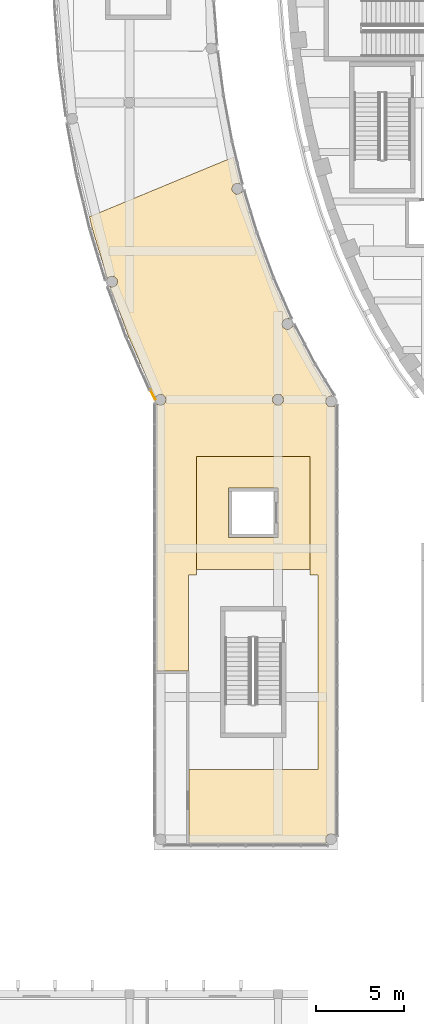
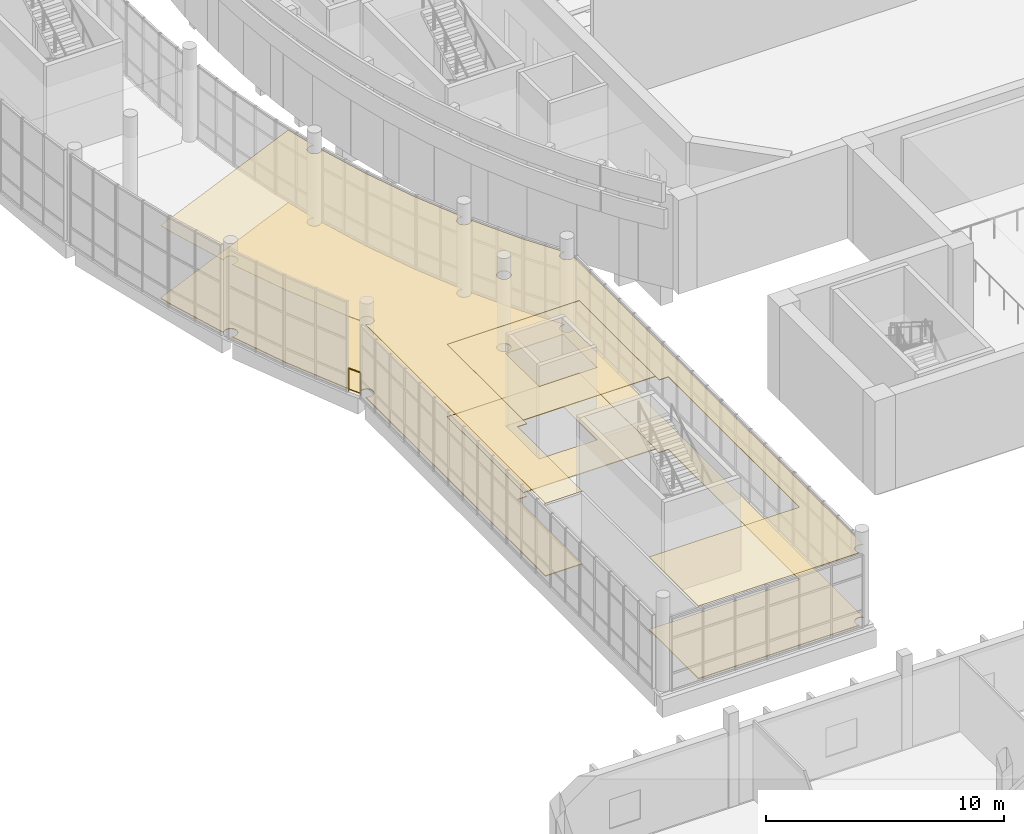
# One storey, part 90 of 119: 4 coverings, 1 railing.
"""IFC4 building model written with IfcOpenShell, lengths in metres."""

import ifcopenshell
import ifcopenshell.guid

model = None  # the IFC model being written
_history = None  # IfcOwnerHistory: only IFC2X3 demands one
_inside = {}  # id of a spatial element -> (the spatial element, [elements in it])
_under = {}  # id of a project, library or spatial element -> (it, [spatial elements below it])
_declared = {}  # id of a project -> (the project, [libraries it declares])
_typed = {}  # id of a type object -> (the type object, [elements of that type])
_made_of = {}  # id of a material, layer set ... -> (it, [elements and type objects made of it])


def new_model(schema):
    """Start an empty IFC model of exactly this schema.

    Asked for "IFC4X3", IfcOpenShell would pick the latest addendum, in which some entities
    have other attributes; the version numbers below select the first issue.
    IFC2X3 requires an IfcOwnerHistory on every rooted entity: one is made here for all.
    """
    global model, _history
    if schema == "IFC4X3":
        model = ifcopenshell.file(schema_version=(4, 3, 0, 0))
    else:
        model = ifcopenshell.file(schema=schema)
    _inside.clear()
    _under.clear()
    _declared.clear()
    _typed.clear()
    _made_of.clear()
    _history = None
    if model.schema == "IFC2X3":
        org = make("IfcOrganization", Name="unknown")
        user = make(
            "IfcPersonAndOrganization",
            ThePerson=make("IfcPerson", FamilyName="unknown"),
            TheOrganization=org,
        )
        app = make(
            "IfcApplication",
            ApplicationDeveloper=org,
            Version="unknown",
            ApplicationFullName="unknown",
            ApplicationIdentifier="unknown",
        )
        _history = make(
            "IfcOwnerHistory",
            OwningUser=user,
            OwningApplication=app,
            ChangeAction="ADDED",
            CreationDate=0,
        )
    return model


def make(cls, **values):
    """One entity of the class cls with the attributes given. An attribute that is None is left unset."""
    return model.create_entity(
        cls, **{name: value for name, value in values.items() if value is not None}
    )


def rooted(cls, **values):
    """An entity with a GlobalId (a new one), such as an element, a storey or a relation."""
    return make(cls, GlobalId=ifcopenshell.guid.new(), OwnerHistory=_history, **values)


def si_unit(unit_type, name, prefix=None):
    """IfcSIUnit, for example si_unit("LENGTHUNIT", "METRE", prefix="MILLI")."""
    return make("IfcSIUnit", UnitType=unit_type, Prefix=prefix, Name=name)


def assignment(units):
    """IfcUnitAssignment: the units of a project."""
    return None if units is None else make("IfcUnitAssignment", Units=units)


def point(xyz):
    """IfcCartesianPoint."""
    return None if xyz is None else make("IfcCartesianPoint", Coordinates=xyz)


def direction(xyz):
    """IfcDirection."""
    return None if xyz is None else make("IfcDirection", DirectionRatios=xyz)


def frame(location, z_axis=None, x_axis=None):
    """IfcAxis2Placement3D, a coordinate frame: its origin and axes. An axis left out is left unset."""
    return make(
        "IfcAxis2Placement3D",
        Location=point(location),
        Axis=direction(z_axis),
        RefDirection=direction(x_axis),
    )


def frame_2d(location, x_axis=None):
    """IfcAxis2Placement2D, a coordinate frame in the plane: its origin and x axis."""
    return make(
        "IfcAxis2Placement2D", Location=point(location), RefDirection=direction(x_axis)
    )


def origin():
    """The frame at (0, 0, 0) with its axes left unset."""
    return frame((0.0, 0.0, 0.0))


def origin_2d():
    """The frame at (0, 0) in the plane with its x axis left unset."""
    return frame_2d((0.0, 0.0))


def place(relative_to, where):
    """IfcLocalPlacement: puts the frame where relative to a parent placement (None: the world)."""
    return make(
        "IfcLocalPlacement", PlacementRelTo=relative_to, RelativePlacement=where
    )


def context(
    kind, dimensions, precision=None, world=None, true_north=None, identifier=None
):
    """IfcGeometricRepresentationContext, for example the 3D "Model" context."""
    return make(
        "IfcGeometricRepresentationContext",
        ContextIdentifier=identifier,
        ContextType=kind,
        CoordinateSpaceDimension=dimensions,
        Precision=precision,
        WorldCoordinateSystem=world,
        TrueNorth=true_north,
    )


def subcontext(parent, identifier, kind, view, scale=None):
    """IfcGeometricRepresentationSubContext, for example "Body" below "Model"."""
    return make(
        "IfcGeometricRepresentationSubContext",
        ContextIdentifier=identifier,
        ContextType=kind,
        ParentContext=parent,
        TargetScale=scale,
        TargetView=view,
    )


def project(units=None, contexts=None):
    """IfcProject with its units and contexts."""
    return rooted(
        "IfcProject",
        Name="project",
        RepresentationContexts=contexts,
        UnitsInContext=assignment(units),
    )


def spatial(cls, under=None, at=None, **own):
    """A site, building, storey or space (cls), placed at a placement, below another one or the project."""
    s = rooted(cls, ObjectPlacement=at, **own)
    if under is not None:
        _under.setdefault(under.id(), (under, []))[1].append(s)
    return s


def polyline(points):
    """IfcPolyline through the points."""
    return make("IfcPolyline", Points=[point(p) for p in points])


def profile(cls, at=None, kind="AREA", **sizes):
    """A parametric profile (cls). Its sizes go by their IFC names, for example OverallWidth=200.0."""
    return make(cls, ProfileType=kind, Position=at, **sizes)


def circle(**sizes):
    """IfcCircleProfileDef."""
    return profile("IfcCircleProfileDef", **sizes)


def outline(outer, holes=None, kind="AREA"):
    """IfcArbitraryClosedProfileDef: a profile drawn as a closed curve; with holes, ...WithVoids."""
    if holes is None:
        return make("IfcArbitraryClosedProfileDef", ProfileType=kind, OuterCurve=outer)
    return make(
        "IfcArbitraryProfileDefWithVoids",
        ProfileType=kind,
        OuterCurve=outer,
        InnerCurves=holes,
    )


def extrude(swept, where, along, depth):
    """IfcExtrudedAreaSolid: the profile swept, set in the frame where, extruded along a direction by depth."""
    return make(
        "IfcExtrudedAreaSolid",
        SweptArea=swept,
        Position=where,
        ExtrudedDirection=direction(along),
        Depth=depth,
    )


def shape(context_of_items, identifier, shape_type, items):
    """IfcShapeRepresentation: the items that make up one representation, for example the "Body"."""
    return make(
        "IfcShapeRepresentation",
        ContextOfItems=context_of_items,
        RepresentationIdentifier=identifier,
        RepresentationType=shape_type,
        Items=items,
    )


def material(Name=None, Category=None):
    """IfcMaterial."""
    return make("IfcMaterial", Name=Name, Category=Category)


def layer(
    of_material, thickness, ventilated=None, Name=None, Category=None, Priority=None
):
    """IfcMaterialLayer: one layer of a wall or slab, of a material (None: an air gap)."""
    return make(
        "IfcMaterialLayer",
        Material=of_material,
        LayerThickness=thickness,
        IsVentilated=ventilated,
        Name=Name,
        Category=Category,
        Priority=Priority,
    )


def layer_set(layers, Name=None):
    """IfcMaterialLayerSet."""
    return make("IfcMaterialLayerSet", MaterialLayers=layers, LayerSetName=Name)


def made_of(thing, what):
    """Note that an element or type object is made of a material, layer set ...; save() writes the relation."""
    if what is not None:
        _made_of.setdefault(what.id(), (what, []))[1].append(thing)
    return thing


def type_object(cls, material=None, **own):
    """A type object (cls), such as IfcWallType, which elements share."""
    return made_of(rooted(cls, **own), material)


def element(
    cls,
    number,
    at=None,
    inside=None,
    cuts=None,
    type_object=None,
    material=None,
    context=None,
    identifier="Body",
    shape_type=None,
    held_by="IfcProductDefinitionShape",
    body=None,
    shapes=None,
    **own,
):
    """One element of the class cls, such as IfcWall. Its Tag is "e" and its number.

    at: its placement. inside: the storey or other place that contains it. cuts: it is an
    opening in that element (IfcRelVoidsElement). A single representation is given by context,
    identifier, shape_type and body (its items); several are given by shapes. held_by: the class
    of the entity that holds the representations. save() writes the other relations.
    """
    e = rooted(cls, Tag="e%d" % number, ObjectPlacement=at, **own)
    if body is not None:
        shapes = [shape(context, identifier, shape_type, body)]
    if shapes is not None:
        e.Representation = make(held_by, Representations=shapes)
    if inside is not None:
        _inside.setdefault(inside.id(), (inside, []))[1].append(e)
    if cuts is not None:
        rooted(
            "IfcRelVoidsElement", RelatingBuildingElement=cuts, RelatedOpeningElement=e
        )
    if type_object is not None:
        _typed.setdefault(type_object.id(), (type_object, []))[1].append(e)
    return made_of(e, material)


def aggregate(whole, parts):
    """IfcRelAggregates: a whole, such as a stair, and the parts it consists of."""
    return rooted("IfcRelAggregates", RelatingObject=whole, RelatedObjects=parts)


def save(model, path):
    """Write the relations noted so far, then the file.

    IfcRelAggregates (storeys below a building ...), IfcRelContainedInSpatialStructure (elements
    in a storey), IfcRelDefinesByType, IfcRelAssociatesMaterial and IfcRelDeclares: one each for
    every whole, place, type object, material and project.
    """
    for whole, parts in _under.values():
        aggregate(whole, parts)
    for where, things in _inside.values():
        rooted(
            "IfcRelContainedInSpatialStructure",
            RelatedElements=things,
            RelatingStructure=where,
        )
    for kind, things in _typed.values():
        rooted("IfcRelDefinesByType", RelatedObjects=things, RelatingType=kind)
    for what, things in _made_of.values():
        rooted("IfcRelAssociatesMaterial", RelatedObjects=things, RelatingMaterial=what)
    for by, libraries in _declared.values():
        rooted("IfcRelDeclares", RelatingContext=by, RelatedDefinitions=libraries)
    model.write(path)


model = new_model("IFC4")

# Units and contexts
model_context = context("Model", 3, precision=1e-05, world=origin(), true_north=direction((0.0, 1.0)))
body_context = subcontext(model_context, "Body", "Model", "MODEL_VIEW")
ifc_project = project(units=[si_unit("LENGTHUNIT", "METRE"), si_unit("AREAUNIT", "SQUARE_METRE"), si_unit("VOLUMEUNIT", "CUBIC_METRE"), si_unit("PLANEANGLEUNIT", "RADIAN"), si_unit("MASSUNIT", "GRAM", prefix="KILO")], contexts=[model_context])

# Site, building, storey
site_placement = place(None, origin())
site = spatial("IfcSite", under=ifc_project, at=site_placement, CompositionType="ELEMENT")
building_placement = place(site_placement, origin())
building = spatial("IfcBuilding", under=site, at=building_placement, Name="Larchfold Concert Hall", CompositionType="ELEMENT")
storey_placement = place(building_placement, frame((0.0, 0.0, 4.800048828125)))
storey = spatial("IfcBuildingStorey", under=building, at=storey_placement, Name="L01", CompositionType="ELEMENT", Elevation=4.800048828125)

# Coverings
ifc_material_1 = material(Name="Plasterboard ceiling lining")
ifc_layer_1 = layer(ifc_material_1, 0.030029296875)
ifc_layer_set_1 = layer_set([ifc_layer_1], Name="Plasterboard ceiling lining")
covering_type_1 = type_object("IfcCoveringType", Name="Ceiling suspended plasterboard 30", PredefinedType="CEILING", material=ifc_layer_set_1)
covering_1_placement = place(storey_placement, frame((0.0, 0.0, 3.719970703125)))
element("IfcCovering", 1, at=covering_1_placement, inside=storey, type_object=covering_type_1, Name="Ceiling Foyer 05", PredefinedType="CEILING", context=body_context, shape_type="SweptSolid", body=[
    extrude(outline(polyline([(12.801025390625, 49.801025390625), (19.198974609375, 49.801025390625), (19.198974609375, 56.198974609375), (12.801025390625, 56.198974609375), (12.801025390625, 49.801025390625)]), holes=[polyline([(14.60009765625, 54.39990234375), (17.39990234375, 54.39990234375), (17.39990234375, 51.60009765625), (14.60009765625, 51.60009765625), (14.60009765625, 54.39990234375)])]), origin(), (0.0, 0.0, 1.0), 0.030029296875),
])
covering_2_placement = place(storey_placement, frame((0.0, 0.0, 3.719970703125)))
element("IfcCovering", 2, at=covering_2_placement, inside=storey, type_object=covering_type_1, Name="Ceiling Winter Garden Foyer South West", PredefinedType="CEILING", context=body_context, shape_type="SweptSolid", body=[
    extrude(outline(polyline([(12.300048828125, 34.349853515625), (20.17626953125, 34.349853515625), (20.13916015625, 34.400146484375), (20.121826171875, 34.435302734375), (20.109130859375, 34.472412109375), (20.098876953125, 34.550048828125), (20.109130859375, 34.627685546875), (20.121826171875, 34.664794921875), (20.160888671875, 34.732666015625), (20.186767578125, 34.76220703125), (20.2490234375, 34.809814453125), (20.2841796875, 34.8271484375), (20.35986328125, 34.847412109375), (20.39892578125, 34.85009765625), (20.43798828125, 34.847412109375), (20.513671875, 34.8271484375), (20.548828125, 34.809814453125), (20.598876953125, 34.77294921875), (20.598876953125, 59.078125), (20.548828125, 59.041259765625), (20.4765625, 59.01123046875), (20.43798828125, 59.003662109375), (20.35986328125, 59.003662109375), (20.2841796875, 59.02392578125), (20.21630859375, 59.06298828125), (20.186767578125, 59.0888671875), (20.13916015625, 59.151123046875), (20.109130859375, 59.223388671875), (20.098876953125, 59.301025390625), (20.109130859375, 59.378662109375), (20.121826171875, 59.415771484375), (20.160888671875, 59.483642578125), (20.21630859375, 59.5390625), (20.2841796875, 59.578125), (20.35986328125, 59.598388671875), (20.452392578125, 59.595703125), (19.387939453125, 61.3251953125), (18.213134765625, 63.5732421875), (18.171142578125, 63.497314453125), (18.11572265625, 63.44189453125), (18.0478515625, 63.40283203125), (17.97216796875, 63.382568359375), (17.93310546875, 63.3798828125), (17.85546875, 63.39013671875), (17.783203125, 63.420166015625), (17.720947265625, 63.4677734375), (17.695068359375, 63.497314453125), (17.656005859375, 63.565185546875), (17.643310546875, 63.602294921875), (17.633056640625, 63.679931640625), (17.643310546875, 63.757568359375), (17.67333984375, 63.829833984375), (17.720947265625, 63.89208984375), (17.783203125, 63.939697265625), (17.85546875, 63.9697265625), (17.93310546875, 63.97998046875), (18.025390625, 63.96484375), (17.01708984375, 66.24755859375), (16.077880859375, 68.7890625), (15.354736328125, 71.170654296875), (15.311279296875, 71.11474609375), (15.28173828125, 71.0888671875), (15.2138671875, 71.0498046875), (15.13818359375, 71.029541015625), (15.06005859375, 71.029541015625), (14.984375, 71.0498046875), (14.91650390625, 71.0888671875), (14.861083984375, 71.144287109375), (14.83935546875, 71.177001953125), (14.809326171875, 71.249267578125), (14.799072265625, 71.326904296875), (14.809326171875, 71.404541015625), (14.83935546875, 71.476806640625), (14.861083984375, 71.509521484375), (14.91650390625, 71.56494140625), (14.984375, 71.60400390625), (15.06005859375, 71.624267578125), (15.13818359375, 71.624267578125), (15.1767578125, 71.61669921875), (15.240478515625, 71.5908203125), (14.870849609375, 73.1142578125), (6.736083984375, 69.74462890625), (6.89794921875, 69.077880859375), (7.76171875, 66.234130859375), (7.805908203125, 66.291259765625), (7.83544921875, 66.317138671875), (7.9033203125, 66.356201171875), (7.97900390625, 66.37646484375), (8.05712890625, 66.37646484375), (8.1328125, 66.356201171875), (8.20068359375, 66.317138671875), (8.256103515625, 66.26171875), (8.27783203125, 66.22900390625), (8.307861328125, 66.15673828125), (8.318115234375, 66.0791015625), (8.307861328125, 66.00146484375), (8.27783203125, 65.92919921875), (8.230224609375, 65.866943359375), (8.16796875, 65.8193359375), (8.095703125, 65.789306640625), (8.01806640625, 65.779052734375), (7.97900390625, 65.78173828125), (7.907470703125, 65.800537109375), (8.949951171875, 62.97900390625), (10.275146484375, 59.9794921875), (10.498779296875, 59.55078125), (10.5458984375, 59.612060546875), (10.575439453125, 59.637939453125), (10.643310546875, 59.677001953125), (10.718994140625, 59.697265625), (10.797119140625, 59.697265625), (10.835693359375, 59.689697265625), (10.907958984375, 59.65966796875), (10.97021484375, 59.612060546875), (11.017822265625, 59.5498046875), (11.03515625, 59.5146484375), (11.055419921875, 59.43896484375), (11.055419921875, 59.36083984375), (11.03515625, 59.28515625), (11.017822265625, 59.25), (10.97021484375, 59.187744140625), (10.907958984375, 59.14013671875), (10.872802734375, 59.122802734375), (10.797119140625, 59.1025390625), (10.718994140625, 59.1025390625), (10.643310546875, 59.122802734375), (10.608154296875, 59.14013671875), (10.558349609375, 59.1767578125), (10.558349609375, 44.0625), (12.349853515625, 44.0625), (12.349853515625, 49.5), (12.800537109375, 49.5), (12.800048828125, 56.199951171875), (19.199951171875, 56.199951171875), (19.199462890625, 49.5), (19.650146484375, 49.5), (19.650146484375, 38.5), (12.362548828125, 38.5), (12.362548828125, 34.35009765625), (12.300048828125, 34.349853515625)]), holes=[polyline([(17.25, 59.14013671875), (17.187744140625, 59.187744140625), (17.161865234375, 59.21728515625), (17.122802734375, 59.28515625), (17.110107421875, 59.322265625), (17.099853515625, 59.39990234375), (17.1025390625, 59.43896484375), (17.122802734375, 59.5146484375), (17.14013671875, 59.5498046875), (17.187744140625, 59.612060546875), (17.21728515625, 59.637939453125), (17.28515625, 59.677001953125), (17.322265625, 59.689697265625), (17.36083984375, 59.697265625), (17.43896484375, 59.697265625), (17.5146484375, 59.677001953125), (17.5498046875, 59.65966796875), (17.58251953125, 59.637939453125), (17.637939453125, 59.58251953125), (17.677001953125, 59.5146484375), (17.689697265625, 59.4775390625), (17.699951171875, 59.39990234375), (17.697265625, 59.36083984375), (17.677001953125, 59.28515625), (17.65966796875, 59.25), (17.612060546875, 59.187744140625), (17.58251953125, 59.161865234375), (17.5146484375, 59.122802734375), (17.4775390625, 59.110107421875), (17.43896484375, 59.1025390625), (17.36083984375, 59.1025390625), (17.28515625, 59.122802734375), (17.25, 59.14013671875)])]), origin(), (0.0, 0.0, 1.0), 0.030029296875),
])

# Railing
ifc_material_2 = material(Name="Stainless steel balustrade", Category="steel")
railing_type = type_object("IfcRailingType", Name="Facade guard 1200", PredefinedType="GUARDRAIL", material=ifc_material_2)
railing_placement = place(storey_placement, frame((10.184326171875, 59.9375, 0.0)))
element("IfcRailing", 3, at=railing_placement, inside=storey, type_object=railing_type, Name="Guard GR0121", PredefinedType="GUARDRAIL", context=body_context, shape_type="SweptSolid", body=[
    extrude(circle(Radius=0.02392578125, at=origin_2d()), frame((0.0, 0.0, 1.17578125), z_axis=(0.46279604508, -0.886464788166, 0.0), x_axis=(0.886464788166, 0.46279604508, 0.0)), (0.0, 0.0, 1.0), 0.580322265625),
    extrude(circle(Radius=0.02099609375, at=origin_2d()), origin(), (0.0, 0.0, 1.0), 1.15185546875),
    extrude(circle(Radius=0.02099609375, at=origin_2d()), frame((0.2685546875, -0.514404296875, 0.0)), (0.0, 0.0, 1.0), 1.15185546875),
])

# Coverings
ifc_material_3 = material(Name="Polished terrazzo")
ifc_layer_2 = layer(ifc_material_3, 0.0400390625)
ifc_layer_set_2 = layer_set([ifc_layer_2], Name="Polished terrazzo")
covering_type_2 = type_object("IfcCoveringType", Name="Floor finish terrazzo 40", PredefinedType="FLOORING", material=ifc_layer_set_2)
covering_3_placement = place(storey_placement, origin())
element("IfcCovering", 4, at=covering_3_placement, inside=storey, type_object=covering_type_2, Name="Floor finish Foyer 05", PredefinedType="FLOORING", context=body_context, shape_type="SweptSolid", body=[
    extrude(outline(polyline([(12.801025390625, 49.801025390625), (19.198974609375, 49.801025390625), (19.198974609375, 56.198974609375), (12.801025390625, 56.198974609375), (12.801025390625, 49.801025390625)]), holes=[polyline([(14.60009765625, 54.39990234375), (17.39990234375, 54.39990234375), (17.39990234375, 51.60009765625), (14.60009765625, 51.60009765625), (14.60009765625, 54.39990234375)])]), origin(), (0.0, 0.0, 1.0), 0.0400390625),
])
covering_4_placement = place(storey_placement, origin())
element("IfcCovering", 5, at=covering_4_placement, inside=storey, type_object=covering_type_2, Name="Floor finish Winter Garden Foyer South West", PredefinedType="FLOORING", context=body_context, shape_type="SweptSolid", body=[
    extrude(outline(polyline([(12.300048828125, 34.349853515625), (20.17626953125, 34.349853515625), (20.13916015625, 34.400146484375), (20.121826171875, 34.435302734375), (20.109130859375, 34.472412109375), (20.098876953125, 34.550048828125), (20.109130859375, 34.627685546875), (20.121826171875, 34.664794921875), (20.160888671875, 34.732666015625), (20.186767578125, 34.76220703125), (20.2490234375, 34.809814453125), (20.2841796875, 34.8271484375), (20.35986328125, 34.847412109375), (20.39892578125, 34.85009765625), (20.43798828125, 34.847412109375), (20.513671875, 34.8271484375), (20.548828125, 34.809814453125), (20.598876953125, 34.77294921875), (20.598876953125, 59.078125), (20.548828125, 59.041259765625), (20.4765625, 59.01123046875), (20.43798828125, 59.003662109375), (20.35986328125, 59.003662109375), (20.2841796875, 59.02392578125), (20.21630859375, 59.06298828125), (20.186767578125, 59.0888671875), (20.13916015625, 59.151123046875), (20.109130859375, 59.223388671875), (20.098876953125, 59.301025390625), (20.109130859375, 59.378662109375), (20.121826171875, 59.415771484375), (20.160888671875, 59.483642578125), (20.21630859375, 59.5390625), (20.2841796875, 59.578125), (20.35986328125, 59.598388671875), (20.452392578125, 59.595703125), (19.387939453125, 61.3251953125), (18.213134765625, 63.5732421875), (18.171142578125, 63.497314453125), (18.11572265625, 63.44189453125), (18.0478515625, 63.40283203125), (17.97216796875, 63.382568359375), (17.93310546875, 63.3798828125), (17.85546875, 63.39013671875), (17.783203125, 63.420166015625), (17.720947265625, 63.4677734375), (17.695068359375, 63.497314453125), (17.656005859375, 63.565185546875), (17.643310546875, 63.602294921875), (17.633056640625, 63.679931640625), (17.643310546875, 63.757568359375), (17.67333984375, 63.829833984375), (17.720947265625, 63.89208984375), (17.783203125, 63.939697265625), (17.85546875, 63.9697265625), (17.93310546875, 63.97998046875), (18.025390625, 63.96484375), (17.01708984375, 66.24755859375), (16.077880859375, 68.7890625), (15.354736328125, 71.170654296875), (15.311279296875, 71.11474609375), (15.28173828125, 71.0888671875), (15.2138671875, 71.0498046875), (15.13818359375, 71.029541015625), (15.06005859375, 71.029541015625), (14.984375, 71.0498046875), (14.91650390625, 71.0888671875), (14.861083984375, 71.144287109375), (14.83935546875, 71.177001953125), (14.809326171875, 71.249267578125), (14.799072265625, 71.326904296875), (14.809326171875, 71.404541015625), (14.83935546875, 71.476806640625), (14.861083984375, 71.509521484375), (14.91650390625, 71.56494140625), (14.984375, 71.60400390625), (15.06005859375, 71.624267578125), (15.13818359375, 71.624267578125), (15.1767578125, 71.61669921875), (15.240478515625, 71.5908203125), (14.870849609375, 73.1142578125), (6.736083984375, 69.74462890625), (6.89794921875, 69.077880859375), (7.76171875, 66.234130859375), (7.805908203125, 66.291259765625), (7.83544921875, 66.317138671875), (7.9033203125, 66.356201171875), (7.97900390625, 66.37646484375), (8.05712890625, 66.37646484375), (8.1328125, 66.356201171875), (8.20068359375, 66.317138671875), (8.256103515625, 66.26171875), (8.27783203125, 66.22900390625), (8.307861328125, 66.15673828125), (8.318115234375, 66.0791015625), (8.307861328125, 66.00146484375), (8.27783203125, 65.92919921875), (8.230224609375, 65.866943359375), (8.16796875, 65.8193359375), (8.095703125, 65.789306640625), (8.01806640625, 65.779052734375), (7.97900390625, 65.78173828125), (7.907470703125, 65.800537109375), (8.949951171875, 62.97900390625), (10.275146484375, 59.9794921875), (10.498779296875, 59.55078125), (10.5458984375, 59.612060546875), (10.575439453125, 59.637939453125), (10.643310546875, 59.677001953125), (10.718994140625, 59.697265625), (10.797119140625, 59.697265625), (10.835693359375, 59.689697265625), (10.907958984375, 59.65966796875), (10.97021484375, 59.612060546875), (11.017822265625, 59.5498046875), (11.03515625, 59.5146484375), (11.055419921875, 59.43896484375), (11.055419921875, 59.36083984375), (11.03515625, 59.28515625), (11.017822265625, 59.25), (10.97021484375, 59.187744140625), (10.907958984375, 59.14013671875), (10.872802734375, 59.122802734375), (10.797119140625, 59.1025390625), (10.718994140625, 59.1025390625), (10.643310546875, 59.122802734375), (10.608154296875, 59.14013671875), (10.558349609375, 59.1767578125), (10.558349609375, 44.0625), (12.349853515625, 44.0625), (12.349853515625, 49.5), (12.800537109375, 49.5), (12.800048828125, 56.199951171875), (19.199951171875, 56.199951171875), (19.199462890625, 49.5), (19.650146484375, 49.5), (19.650146484375, 38.5), (12.362548828125, 38.5), (12.362548828125, 34.35009765625), (12.300048828125, 34.349853515625)]), holes=[polyline([(17.25, 59.14013671875), (17.187744140625, 59.187744140625), (17.161865234375, 59.21728515625), (17.122802734375, 59.28515625), (17.110107421875, 59.322265625), (17.099853515625, 59.39990234375), (17.1025390625, 59.43896484375), (17.122802734375, 59.5146484375), (17.14013671875, 59.5498046875), (17.187744140625, 59.612060546875), (17.21728515625, 59.637939453125), (17.28515625, 59.677001953125), (17.322265625, 59.689697265625), (17.36083984375, 59.697265625), (17.43896484375, 59.697265625), (17.5146484375, 59.677001953125), (17.5498046875, 59.65966796875), (17.58251953125, 59.637939453125), (17.637939453125, 59.58251953125), (17.677001953125, 59.5146484375), (17.689697265625, 59.4775390625), (17.699951171875, 59.39990234375), (17.697265625, 59.36083984375), (17.677001953125, 59.28515625), (17.65966796875, 59.25), (17.612060546875, 59.187744140625), (17.58251953125, 59.161865234375), (17.5146484375, 59.122802734375), (17.4775390625, 59.110107421875), (17.43896484375, 59.1025390625), (17.36083984375, 59.1025390625), (17.28515625, 59.122802734375), (17.25, 59.14013671875)])]), origin(), (0.0, 0.0, 1.0), 0.0400390625),
])

save(model, "model.ifc")
